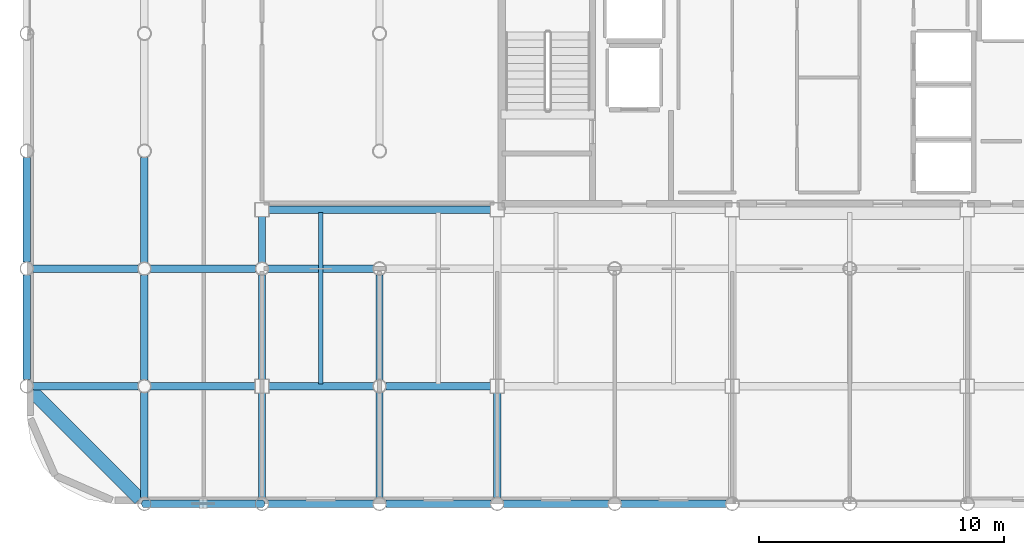
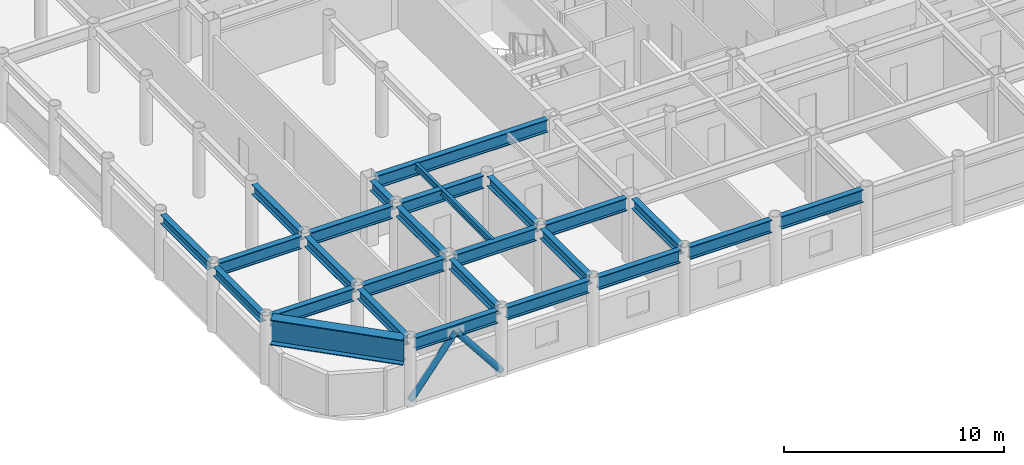
# One storey, part 3 of 22: 26 beams, 2 members.
"""IFC4 building model written with IfcOpenShell, lengths in metres."""

from ifc_helpers import new_model, si_unit, direction, frame, origin, origin_2d, place, context, subcontext, project, spatial, hollow_circle, i_section, extrude, material, material_profile, profile_set, type_object, element, save


model = new_model("IFC4")

# Units and contexts
model_context = context("Model", 3, precision=1e-05, world=origin(), true_north=direction((0.0, 1.0)))
body_context = subcontext(model_context, "Body", "Model", "MODEL_VIEW")
ifc_project = project(units=[si_unit("LENGTHUNIT", "METRE"), si_unit("AREAUNIT", "SQUARE_METRE"), si_unit("VOLUMEUNIT", "CUBIC_METRE"), si_unit("PLANEANGLEUNIT", "RADIAN"), si_unit("MASSUNIT", "GRAM", prefix="KILO")], contexts=[model_context])

# Site, building, storey
site_placement = place(None, origin())
site = spatial("IfcSite", under=ifc_project, at=site_placement, CompositionType="ELEMENT")
building_placement = place(site_placement, origin())
building = spatial("IfcBuilding", under=site, at=building_placement, Name="Kallvorn Hotel Tower", CompositionType="ELEMENT")
storey_placement = place(building_placement, frame((0.0, 0.0, 253.10009765625)))
storey = spatial("IfcBuildingStorey", under=building, at=storey_placement, Name="L63", CompositionType="ELEMENT", Elevation=253.10009765625)

# Beams
ifc_material_1 = material(Name="Structural steel S355JR", Category="steel")
ifc_material_profile_1 = material_profile(ifc_material_1, i_section(OverallWidth=0.300048828125, OverallDepth=0.5, WebThickness=0.014404296875, FlangeThickness=0.028076171875, at=origin_2d()), Name="HE 500 B")
ifc_profile_set_1 = profile_set([ifc_material_profile_1], Name="Structural steel S355JR")
beam_type_1 = type_object("IfcBeamType", Name="BM_HE500B", PredefinedType="SPANDREL", material=ifc_profile_set_1)
beam_1_placement = place(storey_placement, frame((-33.60009765625, -14.130615234375, 3.419921875), z_axis=(0.0, 1.0, 0.0), x_axis=(-1.0, 0.0, 0.0)))
element("IfcBeam", 1, at=beam_1_placement, inside=storey, type_object=beam_type_1, Name="L64 Perimeter Spandrel 174", PredefinedType="SPANDREL", context=body_context, shape_type="SweptSolid", body=[
    extrude(i_section(OverallWidth=0.300048828125, OverallDepth=0.5, WebThickness=0.014404296875, FlangeThickness=0.028076171875, at=origin_2d()), origin(), (0.0, 0.0, 1.0), 4.26123046875),
])
beam_2_placement = place(storey_placement, frame((-33.60009765625, -9.33056640625, 3.419921875), z_axis=(0.0, 1.0, 0.0), x_axis=(-1.0, 0.0, 0.0)))
element("IfcBeam", 2, at=beam_2_placement, inside=storey, type_object=beam_type_1, Name="L64 Perimeter Spandrel 175", PredefinedType="SPANDREL", context=body_context, shape_type="SweptSolid", body=[
    extrude(i_section(OverallWidth=0.300048828125, OverallDepth=0.5, WebThickness=0.014404296875, FlangeThickness=0.028076171875, at=origin_2d()), origin(), (0.0, 0.0, 1.0), 4.260986328125),
])
ifc_material_2 = material(Name="Structural steel S355JR", Category="steel")
ifc_material_profile_2 = material_profile(ifc_material_2, i_section(OverallWidth=0.300048828125, OverallDepth=0.550048828125, WebThickness=0.014892578125, FlangeThickness=0.029052734375, at=origin_2d()), Name="HE 550 B")
ifc_profile_set_2 = profile_set([ifc_material_profile_2], Name="Structural steel S355JR")
beam_type_2 = type_object("IfcBeamType", Name="BM_HE550B", PredefinedType="SPANDREL", material=ifc_profile_set_2)
for number, where, z_axis, x_axis, name in (
    (3, (-28.800048828125, -18.945556640625, 3.39501953125), (0.0, 1.0, 0.0), (-1.0, 0.0, 0.0), "L64 Primary Y-Girder 73"),
    (4, (-28.800048828125, -14.1455078125, 3.39501953125), (0.0, 1.0, 0.0), (-1.0, 0.0, 0.0), "L64 Primary Y-Girder 74"),
    (5, (-28.800048828125, -9.345458984375, 3.39501953125), (0.0, 1.0, 0.0), (-1.0, 0.0, 0.0), "L64 Primary Y-Girder 75"),
):
    element("IfcBeam", number, at=place(storey_placement, frame(where, z_axis=z_axis, x_axis=x_axis)), inside=storey, type_object=beam_type_2, Name=name, PredefinedType="SPANDREL", context=body_context, shape_type="SweptSolid", body=[
        extrude(i_section(OverallWidth=0.300048828125, OverallDepth=0.550048828125, WebThickness=0.014892578125, FlangeThickness=0.029052734375, at=origin_2d()), origin(), (0.0, 0.0, 1.0), 4.291015625),
    ])
for number, where, z_axis, x_axis, name in (
    (6, (-24.0, -18.945556640625, 3.39501953125), (0.0, 1.0, 0.0), (-1.0, 0.0, 0.0), "L64 Primary Y-Girder 82"),
    (7, (-24.0, -14.125, 3.39501953125), (0.0, 1.0, 0.0), (-1.0, 0.0, 0.0), "L64 Primary Y-Girder 83"),
):
    element("IfcBeam", number, at=place(storey_placement, frame(where, z_axis=z_axis, x_axis=x_axis)), inside=storey, type_object=beam_type_2, Name=name, PredefinedType="SPANDREL", context=body_context, shape_type="SweptSolid", body=[
        extrude(i_section(OverallWidth=0.300048828125, OverallDepth=0.550048828125, WebThickness=0.014892578125, FlangeThickness=0.029052734375, at=origin_2d()), origin(), (0.0, 0.0, 1.0), 4.2705078125),
    ])
beam_3_placement = place(storey_placement, frame((-24.0, -9.345458984375, 3.39501953125), z_axis=(0.0, 1.0, 0.0), x_axis=(-1.0, 0.0, 0.0)))
element("IfcBeam", 8, at=beam_3_placement, inside=storey, type_object=beam_type_2, Name="L64 Primary Y-Girder 84", PredefinedType="SPANDREL", context=body_context, shape_type="SweptSolid", body=[
    extrude(i_section(OverallWidth=0.300048828125, OverallDepth=0.550048828125, WebThickness=0.014892578125, FlangeThickness=0.029052734375, at=origin_2d()), origin(), (0.0, 0.0, 1.0), 1.870361328125),
])
for number, where, z_axis, x_axis, name in (
    (9, (-19.199951171875, -18.945556640625, 3.39501953125), (0.0, 1.0, 0.0), (-1.0, 0.0, 0.0), "L64 Primary Y-Girder 89"),
    (10, (-19.199951171875, -14.1455078125, 3.39501953125), (0.0, 1.0, 0.0), (-1.0, 0.0, 0.0), "L64 Primary Y-Girder 90"),
):
    element("IfcBeam", number, at=place(storey_placement, frame(where, z_axis=z_axis, x_axis=x_axis)), inside=storey, type_object=beam_type_2, Name=name, PredefinedType="SPANDREL", context=body_context, shape_type="SweptSolid", body=[
        extrude(i_section(OverallWidth=0.300048828125, OverallDepth=0.550048828125, WebThickness=0.014892578125, FlangeThickness=0.029052734375, at=origin_2d()), origin(), (0.0, 0.0, 1.0), 4.291015625),
    ])
beam_4_placement = place(storey_placement, frame((-14.39990234375, -18.945556640625, 3.39501953125), z_axis=(0.0, 1.0, 0.0), x_axis=(-1.0, 0.0, 0.0)))
element("IfcBeam", 11, at=beam_4_placement, inside=storey, type_object=beam_type_2, Name="L64 Primary Y-Girder 98", PredefinedType="SPANDREL", context=body_context, shape_type="SweptSolid", body=[
    extrude(i_section(OverallWidth=0.300048828125, OverallDepth=0.550048828125, WebThickness=0.014892578125, FlangeThickness=0.029052734375, at=origin_2d()), origin(), (0.0, 0.0, 1.0), 4.2705078125),
])
ifc_material_3 = material(Name="Structural steel S355JR", Category="steel")
ifc_material_profile_3 = material_profile(ifc_material_3, i_section(OverallWidth=0.300048828125, OverallDepth=0.699951171875, WebThickness=0.01708984375, FlangeThickness=0.031982421875, at=origin_2d()), Name="HE 700 B")
ifc_profile_set_3 = profile_set([ifc_material_profile_3], Name="Structural steel S355JR")
beam_type_3 = type_object("IfcBeamType", Name="BM_HE700B", PredefinedType="BEAM", material=ifc_profile_set_3)
for number, where, z_axis, x_axis, name in (
    (12, (-28.54541015625, -19.199951171875, 3.31982421875), (1.0, 0.0, 0.0), (0.0, 1.0, 0.0), "L64 Primary X-Girder 01"),
    (13, (-23.74560546875, -19.199951171875, 3.31982421875), (1.0, 0.0, 0.0), (0.0, 1.0, 0.0), "L64 Primary X-Girder 02"),
    (14, (-18.945556640625, -19.199951171875, 3.31982421875), (1.0, 0.0, 0.0), (0.0, 1.0, 0.0), "L64 Primary X-Girder 03"),
    (15, (-14.1455078125, -19.199951171875, 3.31982421875), (1.0, 0.0, 0.0), (0.0, 1.0, 0.0), "L64 Primary X-Girder 04"),
    (16, (-9.345458984375, -19.199951171875, 3.31982421875), (1.0, 0.0, 0.0), (0.0, 1.0, 0.0), "L64 Primary X-Girder 05"),
    (17, (-33.345458984375, -14.39990234375, 3.31982421875), (1.0, 0.0, 0.0), (0.0, 1.0, 0.0), "L64 Primary X-Girder 13"),
):
    element("IfcBeam", number, at=place(storey_placement, frame(where, z_axis=z_axis, x_axis=x_axis)), inside=storey, type_object=beam_type_3, Name=name, PredefinedType="BEAM", context=body_context, shape_type="SweptSolid", body=[
        extrude(i_section(OverallWidth=0.300048828125, OverallDepth=0.699951171875, WebThickness=0.01708984375, FlangeThickness=0.031982421875, at=origin_2d()), origin(), (0.0, 0.0, 1.0), 4.291015625),
    ])
for number, where, z_axis, x_axis, name in (
    (18, (-28.54541015625, -14.39990234375, 3.31982421875), (1.0, 0.0, 0.0), (0.0, 1.0, 0.0), "L64 Primary X-Girder 14"),
    (19, (-23.72509765625, -14.39990234375, 3.31982421875), (1.0, 0.0, 0.0), (0.0, 1.0, 0.0), "L64 Primary X-Girder 15"),
    (20, (-18.945556640625, -14.39990234375, 3.31982421875), (1.0, 0.0, 0.0), (0.0, 1.0, 0.0), "L64 Primary X-Girder 16"),
):
    element("IfcBeam", number, at=place(storey_placement, frame(where, z_axis=z_axis, x_axis=x_axis)), inside=storey, type_object=beam_type_3, Name=name, PredefinedType="BEAM", context=body_context, shape_type="SweptSolid", body=[
        extrude(i_section(OverallWidth=0.300048828125, OverallDepth=0.699951171875, WebThickness=0.01708984375, FlangeThickness=0.031982421875, at=origin_2d()), origin(), (0.0, 0.0, 1.0), 4.2705078125),
    ])
for number, where, z_axis, x_axis, name in (
    (21, (-33.345458984375, -9.60009765625, 3.31982421875), (1.0, 0.0, 0.0), (0.0, 1.0, 0.0), "L64 Primary X-Girder 23"),
    (22, (-28.54541015625, -9.60009765625, 3.31982421875), (1.0, 0.0, 0.0), (0.0, 1.0, 0.0), "L64 Primary X-Girder 24"),
    (23, (-23.74560546875, -9.60009765625, 3.31982421875), (1.0, 0.0, 0.0), (0.0, 1.0, 0.0), "L64 Primary X-Girder 25"),
):
    element("IfcBeam", number, at=place(storey_placement, frame(where, z_axis=z_axis, x_axis=x_axis)), inside=storey, type_object=beam_type_3, Name=name, PredefinedType="BEAM", context=body_context, shape_type="SweptSolid", body=[
        extrude(i_section(OverallWidth=0.300048828125, OverallDepth=0.699951171875, WebThickness=0.01708984375, FlangeThickness=0.031982421875, at=origin_2d()), origin(), (0.0, 0.0, 1.0), 4.291015625),
    ])
beam_5_placement = place(storey_placement, frame((-23.72509765625, -7.199951171875, 3.31982421875), z_axis=(1.0, 0.0, 0.0), x_axis=(0.0, 1.0, 0.0)))
element("IfcBeam", 24, at=beam_5_placement, inside=storey, type_object=beam_type_3, Name="L64 Primary X-Girder 32", PredefinedType="BEAM", context=body_context, shape_type="SweptSolid", body=[
    extrude(i_section(OverallWidth=0.300048828125, OverallDepth=0.699951171875, WebThickness=0.01708984375, FlangeThickness=0.031982421875, at=origin_2d()), origin(), (0.0, 0.0, 1.0), 9.050048828125),
])
ifc_material_4 = material(Name="Structural steel S355JR", Category="steel")
ifc_material_profile_4 = material_profile(ifc_material_4, i_section(OverallWidth=0.169921875, OverallDepth=0.360107421875, WebThickness=0.008056640625, FlangeThickness=0.0126953125, at=origin_2d()), Name="IPE 360")
ifc_profile_set_4 = profile_set([ifc_material_profile_4], Name="Structural steel S355JR")
beam_type_4 = type_object("IfcBeamType", Name="BM_IPE360", PredefinedType="JOIST", material=ifc_profile_set_4)
beam_6_placement = place(storey_placement, frame((-21.60009765625, -14.300048828125, 3.489990234375), z_axis=(0.0, 1.0, 0.0), x_axis=(-1.0, 0.0, 0.0)))
element("IfcBeam", 25, at=beam_6_placement, inside=storey, type_object=beam_type_4, Name="L64 Secondary Composite Joist 192", PredefinedType="JOIST", context=body_context, shape_type="SweptSolid", body=[
    extrude(i_section(OverallWidth=0.169921875, OverallDepth=0.360107421875, WebThickness=0.008056640625, FlangeThickness=0.0126953125, at=origin_2d()), origin(), (0.0, 0.0, 1.0), 7.0),
])
ifc_material_5 = material(Name="Structural steel S355JR", Category="steel")
ifc_material_profile_5 = material_profile(ifc_material_5, i_section(OverallWidth=0.550048828125, OverallDepth=1.39990234375, WebThickness=0.02490234375, FlangeThickness=0.044921875, at=origin_2d()), Name="PG 1400x550x25x45")
ifc_profile_set_5 = profile_set([ifc_material_profile_5], Name="Structural steel S355JR")
beam_type_5 = type_object("IfcBeamType", Name="BM_PG_1400", PredefinedType="BEAM", material=ifc_profile_set_5)
beam_7_placement = place(storey_placement, frame((-33.409423828125, -14.590576171875, 2.969970703125), z_axis=(0.707106781187, -0.707106781187, 0.0), x_axis=(0.707106781187, 0.707106781187, 0.0)))
element("IfcBeam", 26, at=beam_7_placement, inside=storey, type_object=beam_type_5, Name="L64 Rounded Corner Tie Beam 189", PredefinedType="BEAM", context=body_context, shape_type="SweptSolid", body=[
    extrude(i_section(OverallWidth=0.550048828125, OverallDepth=1.39990234375, WebThickness=0.02490234375, FlangeThickness=0.044921875, at=origin_2d()), origin(), (0.0, 0.0, 1.0), 6.249267578125),
])

# Members
ifc_material_6 = material(Name="Structural steel S355J2H", Category="steel")
ifc_material_profile_6 = material_profile(ifc_material_6, hollow_circle(Radius=0.161865234375, WallThickness=0.012451171875, at=origin_2d()), Name="CHS 323.9x12.5")
ifc_profile_set_6 = profile_set([ifc_material_profile_6], Name="Structural steel S355J2H")
member_type = type_object("IfcMemberType", Name="MBR_EXO_CHS323", PredefinedType="BRACE", material=ifc_profile_set_6)
for number, where, z_axis, x_axis, name in (
    (27, (-28.78759765625, -19.199951171875, 0.195556640625), (0.620928510901, 0.0, 0.783867198159), (0.0, 1.0, 0.0), "L63 Exoskeleton K-Brace S1A"),
    (28, (-24.012451171875, -19.199951171875, 0.195556640625), (-0.620928510901, 0.0, 0.783867198159), (0.0, -1.0, 0.0), "L63 Exoskeleton K-Brace S1B"),
):
    element("IfcMember", number, at=place(storey_placement, frame(where, z_axis=z_axis, x_axis=x_axis)), inside=storey, type_object=member_type, Name=name, PredefinedType="BRACE", context=body_context, shape_type="SweptSolid", body=[
        extrude(hollow_circle(Radius=0.161865234375, WallThickness=0.012451171875, at=origin_2d()), origin(), (0.0, 0.0, 1.0), 3.8251953125),
    ])

save(model, "model.ifc")
